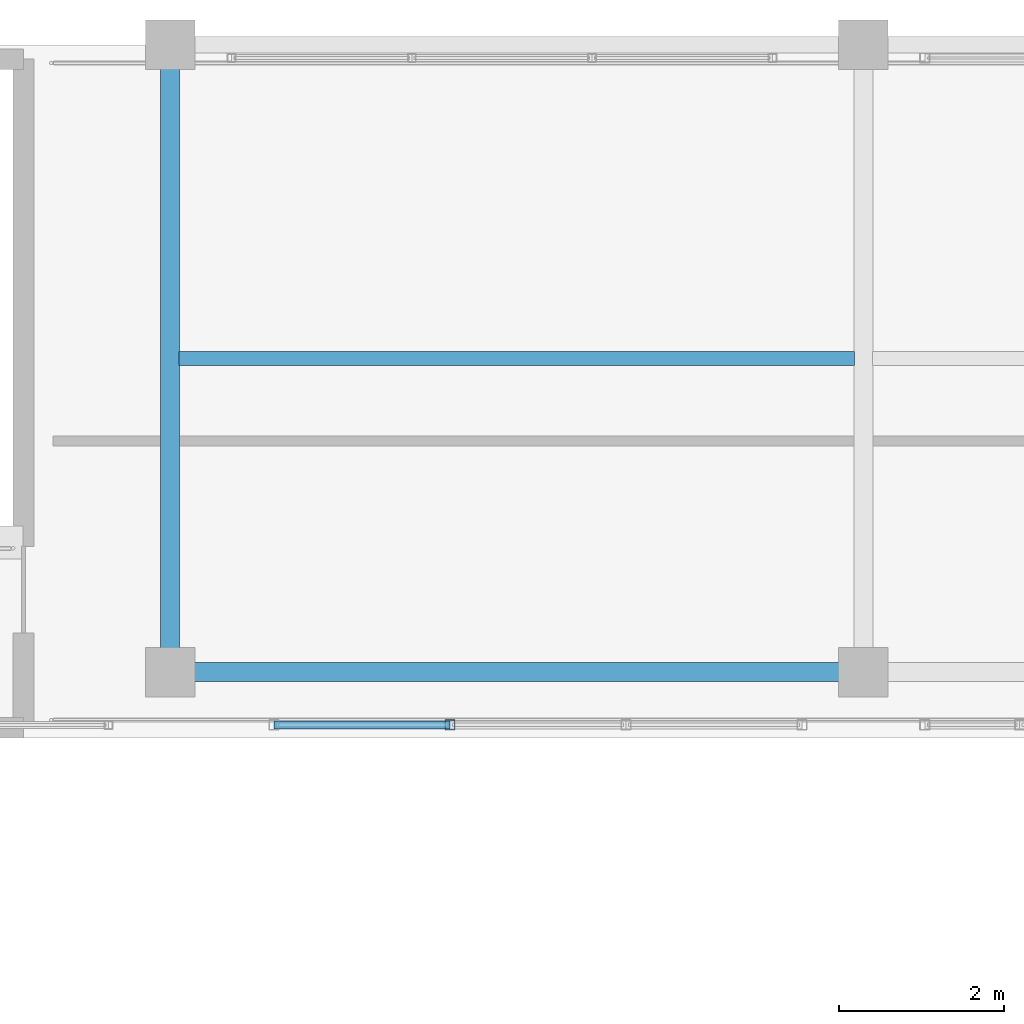
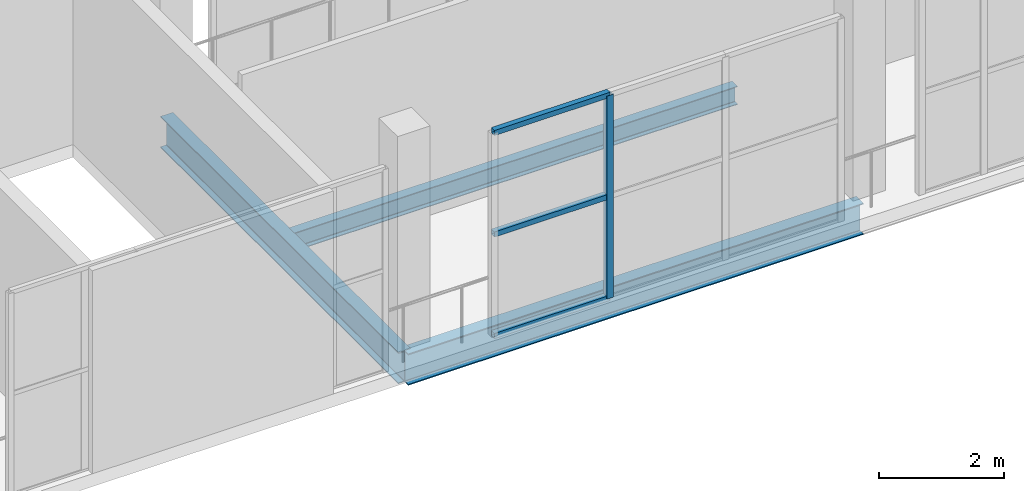
# One storey, part 72 of 151: 4 members, 3 beams, 1 element without a shape of its own.
"""IFC4 building model written with IfcOpenShell, lengths in metres."""

from ifc_helpers import new_model, si_unit, direction, frame, origin, origin_2d, place, context, subcontext, project, spatial, hollow_rectangle, i_section, extrude, material, material_profile, profile_set, type_object, element, aggregate, save


model = new_model("IFC4")

# Units and contexts
model_context = context("Model", 3, precision=1e-05, world=origin(), true_north=direction((0.0, 1.0)))
body_context = subcontext(model_context, "Body", "Model", "MODEL_VIEW")
ifc_project = project(units=[si_unit("LENGTHUNIT", "METRE"), si_unit("AREAUNIT", "SQUARE_METRE"), si_unit("VOLUMEUNIT", "CUBIC_METRE"), si_unit("PLANEANGLEUNIT", "RADIAN"), si_unit("MASSUNIT", "GRAM", prefix="KILO")], contexts=[model_context])

# Site, building, storey
site_placement = place(None, origin())
site = spatial("IfcSite", under=ifc_project, at=site_placement, CompositionType="ELEMENT")
building_placement = place(site_placement, origin())
building = spatial("IfcBuilding", under=site, at=building_placement, Name="Zuvorla Pavilion Media Centre", CompositionType="ELEMENT")
storey_placement = place(building_placement, frame((0.0, 0.0, 13.800048828125)))
storey = spatial("IfcBuildingStorey", under=building, at=storey_placement, Name="L03", CompositionType="ELEMENT", Elevation=13.800048828125)

# Beams
ifc_material_1 = material(Name="Steel S355", Category="steel")
ifc_material_profile_1 = material_profile(ifc_material_1, i_section(OverallWidth=0.172119140625, OverallDepth=0.35791015625, WebThickness=0.008056640625, FlangeThickness=0.012939453125, FilletRadius=0.01025390625, at=origin_2d()), Name="UB 356x171x57")
ifc_profile_set_1 = profile_set([ifc_material_profile_1], Name="Steel S355")
beam_type_1 = type_object("IfcBeamType", Name="BM-UB356", PredefinedType="JOIST", material=ifc_profile_set_1)
beam_1_placement = place(storey_placement, frame((100.509521484375, 85.800048828125, -0.43701171875), z_axis=(1.0, 0.0, 0.0), x_axis=(0.0, 1.0, 0.0)))
element("IfcBeam", 1, at=beam_1_placement, inside=storey, type_object=beam_type_1, Name="L03 joist J03 1276", PredefinedType="JOIST", context=body_context, shape_type="SweptSolid", body=[
    extrude(i_section(OverallWidth=0.172119140625, OverallDepth=0.35791015625, WebThickness=0.008056640625, FlangeThickness=0.012939453125, FilletRadius=0.01025390625, at=origin_2d()), origin(), (0.0, 0.0, 1.0), 8.180908203125),
])
ifc_material_profile_2 = material_profile(ifc_material_1, i_section(OverallWidth=0.22900390625, OverallDepth=0.6123046875, WebThickness=0.011962890625, FlangeThickness=0.01953125, FilletRadius=0.0126953125, at=origin_2d()), Name="UB 610x229x125")
ifc_profile_set_2 = profile_set([ifc_material_profile_2], Name="Steel S355")
beam_type_2 = type_object("IfcBeamType", Name="BM-UB610", PredefinedType="BEAM", material=ifc_profile_set_2)
beam_2_placement = place(storey_placement, frame((100.39990234375, 82.0, -0.564208984375), z_axis=(1.0, 0.0, 0.0), x_axis=(0.0, 1.0, 0.0)))
element("IfcBeam", 2, at=beam_2_placement, inside=storey, type_object=beam_type_2, Name="L03 beam B07 1124", PredefinedType="BEAM", context=body_context, shape_type="SweptSolid", body=[
    extrude(i_section(OverallWidth=0.22900390625, OverallDepth=0.6123046875, WebThickness=0.011962890625, FlangeThickness=0.01953125, FilletRadius=0.0126953125, at=origin_2d()), origin(), (0.0, 0.0, 1.0), 8.400146484375),
])
beam_3_placement = place(storey_placement, frame((100.39990234375, 82.0, -0.564208984375), z_axis=(0.0, 1.0, 0.0), x_axis=(-1.0, 0.0, 0.0)))
element("IfcBeam", 3, at=beam_3_placement, inside=storey, type_object=beam_type_2, Name="L03 beam B07 1205", PredefinedType="BEAM", context=body_context, shape_type="SweptSolid", body=[
    extrude(i_section(OverallWidth=0.22900390625, OverallDepth=0.6123046875, WebThickness=0.011962890625, FlangeThickness=0.01953125, FilletRadius=0.0126953125, at=origin_2d()), origin(), (0.0, 0.0, 1.0), 7.60009765625),
])

# Curtain wall, members
ifc_material_2 = material(Name="Unitised anodised aluminium and solar glass curtain wall", Category="aluminium")
curtain_wall_type = type_object("IfcCurtainWallType", Name="CW-SYS-45", PredefinedType="USERDEFINED", material=ifc_material_2)
curtain_wall_placement = place(storey_placement, origin())
curtain_wall = element("IfcCurtainWall", 4, at=curtain_wall_placement, inside=storey, type_object=curtain_wall_type, Name="L03 curtain wall CW45 173", ObjectType="CURTAIN WALL", PredefinedType="USERDEFINED")
ifc_material_3 = material(Name="Anodised aluminium 6063-T6", Category="aluminium")
ifc_material_profile_3 = material_profile(ifc_material_3, hollow_rectangle(XDim=0.1201171875, YDim=0.1201171875, WallThickness=0.0048828125, at=origin_2d()), Name="ALU MULL 120x120")
ifc_profile_set_3 = profile_set([ifc_material_profile_3], Name="Anodised aluminium 6063-T6")
member_type_1 = type_object("IfcMemberType", Name="CW-MULL-120", PredefinedType="MULLION", material=ifc_profile_set_3)
member_1_placement = place(storey_placement, frame((103.7919921875, 81.360107421875, 0.0), z_axis=(0.0, 0.0, 1.0), x_axis=(1.0, 0.0, 0.0)))
member_1 = element("IfcMember", 5, at=member_1_placement, type_object=member_type_1, Name="CW45 mullion 3", PredefinedType="MULLION", context=body_context, shape_type="SweptSolid", body=[
    extrude(hollow_rectangle(XDim=0.1201171875, YDim=0.1201171875, WallThickness=0.0048828125, at=origin_2d()), origin(), (0.0, 0.0, 1.0), 3.9599609375),
])
ifc_material_profile_4 = material_profile(ifc_material_3, hollow_rectangle(XDim=0.10009765625, YDim=0.10009765625, WallThickness=0.00439453125, at=origin_2d()), Name="ALU TRAN 100x100")
ifc_profile_set_4 = profile_set([ifc_material_profile_4], Name="Anodised aluminium 6063-T6")
member_type_2 = type_object("IfcMemberType", Name="CW-TRAN-100", PredefinedType="USERDEFINED", material=ifc_profile_set_4)
member_2_placement = place(storey_placement, frame((103.7919921875, 81.360107421875, 0.0), z_axis=(-1.0, 0.0, 0.0), x_axis=(0.0, -1.0, 0.0)))
member_2 = element("IfcMember", 6, at=member_2_placement, type_object=member_type_2, Name="CW45 transom 3.1", ObjectType="TRANSOM", PredefinedType="USERDEFINED", context=body_context, shape_type="SweptSolid", body=[
    extrude(hollow_rectangle(XDim=0.10009765625, YDim=0.10009765625, WallThickness=0.00439453125, at=origin_2d()), origin(), (0.0, 0.0, 1.0), 2.132080078125),
])
member_3_placement = place(storey_placement, frame((103.7919921875, 81.360107421875, 1.97998046875), z_axis=(-1.0, 0.0, 0.0), x_axis=(0.0, -1.0, 0.0)))
member_3 = element("IfcMember", 7, at=member_3_placement, type_object=member_type_2, Name="CW45 transom 3.2", ObjectType="TRANSOM", PredefinedType="USERDEFINED", context=body_context, shape_type="SweptSolid", body=[
    extrude(hollow_rectangle(XDim=0.10009765625, YDim=0.10009765625, WallThickness=0.00439453125, at=origin_2d()), origin(), (0.0, 0.0, 1.0), 2.132080078125),
])
member_4_placement = place(storey_placement, frame((103.7919921875, 81.360107421875, 3.9599609375), z_axis=(-1.0, 0.0, 0.0), x_axis=(0.0, -1.0, 0.0)))
member_4 = element("IfcMember", 8, at=member_4_placement, type_object=member_type_2, Name="CW45 transom 3.3", ObjectType="TRANSOM", PredefinedType="USERDEFINED", context=body_context, shape_type="SweptSolid", body=[
    extrude(hollow_rectangle(XDim=0.10009765625, YDim=0.10009765625, WallThickness=0.00439453125, at=origin_2d()), origin(), (0.0, 0.0, 1.0), 2.132080078125),
])
aggregate(curtain_wall, [member_1, member_2, member_3, member_4])

save(model, "model.ifc")
